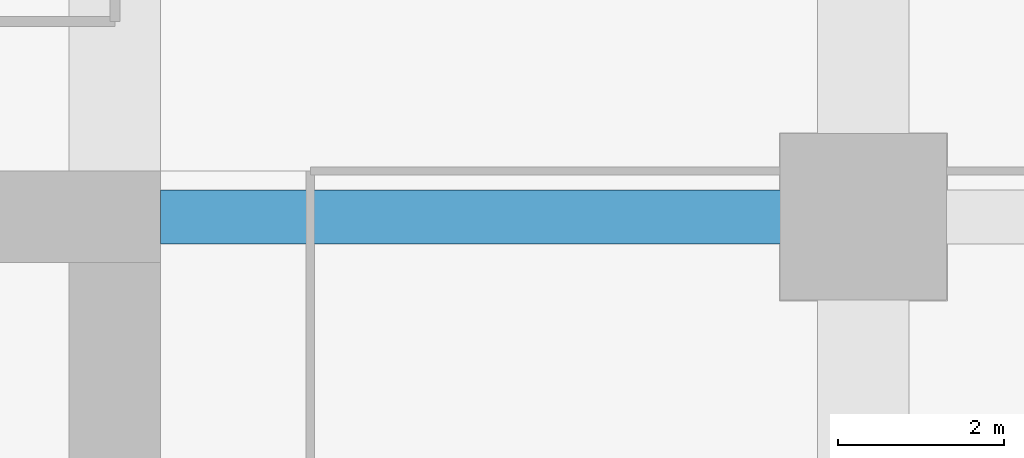
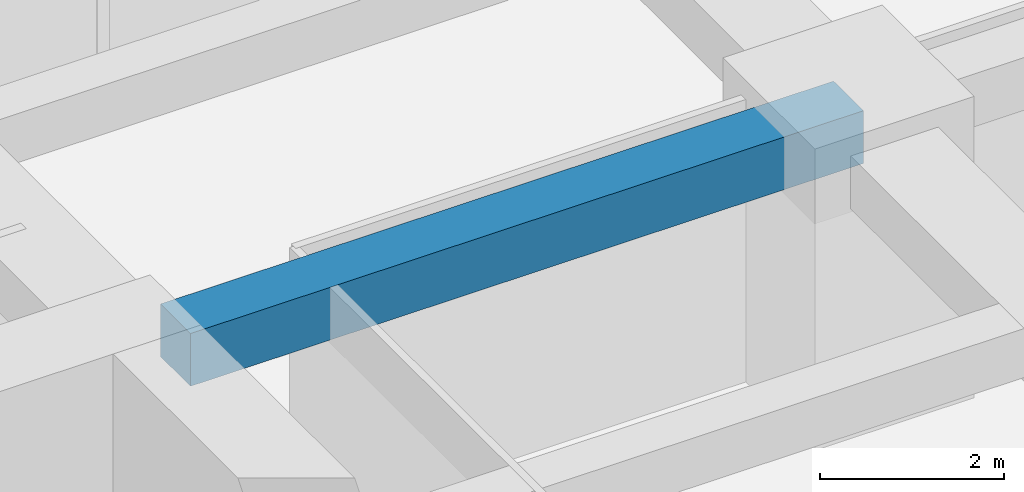
# One storey, part 31 of 39: 1 beam.
"""IFC4 building model written with IfcOpenShell, lengths in metres."""

from ifc_helpers import new_model, si_unit, direction, frame, origin, origin_2d, place, context, subcontext, project, spatial, rectangle, extrude, material, material_profile, profile_set, type_object, element, save


model = new_model("IFC4")

# Units and contexts
model_context = context("Model", 3, precision=1e-05, world=origin(), true_north=direction((0.0, 1.0)))
body_context = subcontext(model_context, "Body", "Model", "MODEL_VIEW")
ifc_project = project(units=[si_unit("LENGTHUNIT", "METRE"), si_unit("AREAUNIT", "SQUARE_METRE"), si_unit("VOLUMEUNIT", "CUBIC_METRE"), si_unit("PLANEANGLEUNIT", "RADIAN"), si_unit("MASSUNIT", "GRAM", prefix="KILO")], contexts=[model_context])

# Site, building, storey
site_placement = place(None, origin())
site = spatial("IfcSite", under=ifc_project, at=site_placement, CompositionType="ELEMENT")
building_placement = place(site_placement, origin())
building = spatial("IfcBuilding", under=site, at=building_placement, Name="Zorevar Civic Tower", CompositionType="ELEMENT")
storey_placement = place(building_placement, frame((0.0, 0.0, 121.0)))
storey = spatial("IfcBuildingStorey", under=building, at=storey_placement, Name="L29", CompositionType="ELEMENT", Elevation=121.0)

# Beam
ifc_material = material(Name="Concrete C50/60", Category="concrete")
ifc_material_profile = material_profile(ifc_material, rectangle(XDim=0.64990234375, YDim=0.699951171875, at=origin_2d()), Name="RC 650x700")
ifc_profile_set = profile_set([ifc_material_profile], Name="Concrete C50/60")
beam_type = type_object("IfcBeamType", Name="Beam RC 650x700", PredefinedType="BEAM", material=ifc_profile_set)
beam_placement = place(storey_placement, frame((45.550048828125, 36.0, 3.39990234375), z_axis=(1.0, 0.0, 0.0), x_axis=(0.0, 1.0, 0.0)))
element("IfcBeam", 1, at=beam_placement, inside=storey, type_object=beam_type, Name="Girder L30", PredefinedType="BEAM", context=body_context, shape_type="SweptSolid", body=[
    extrude(rectangle(XDim=0.64990234375, YDim=0.699951171875, at=origin_2d()), origin(), (0.0, 0.0, 1.0), 8.449951171875),
])

save(model, "model.ifc")
